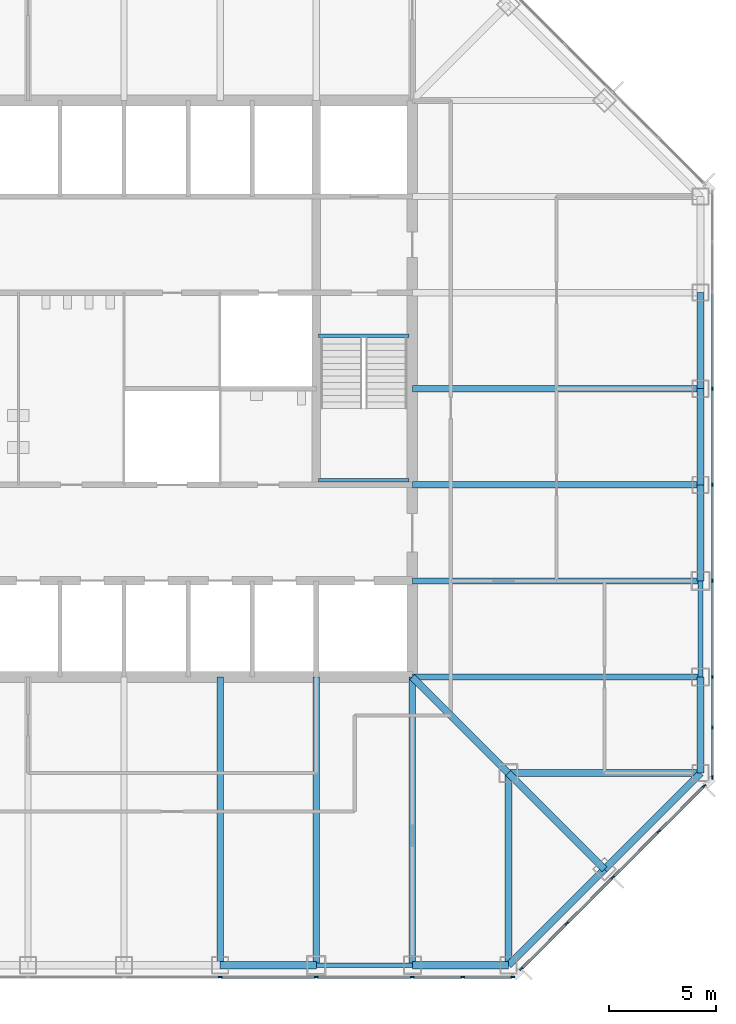
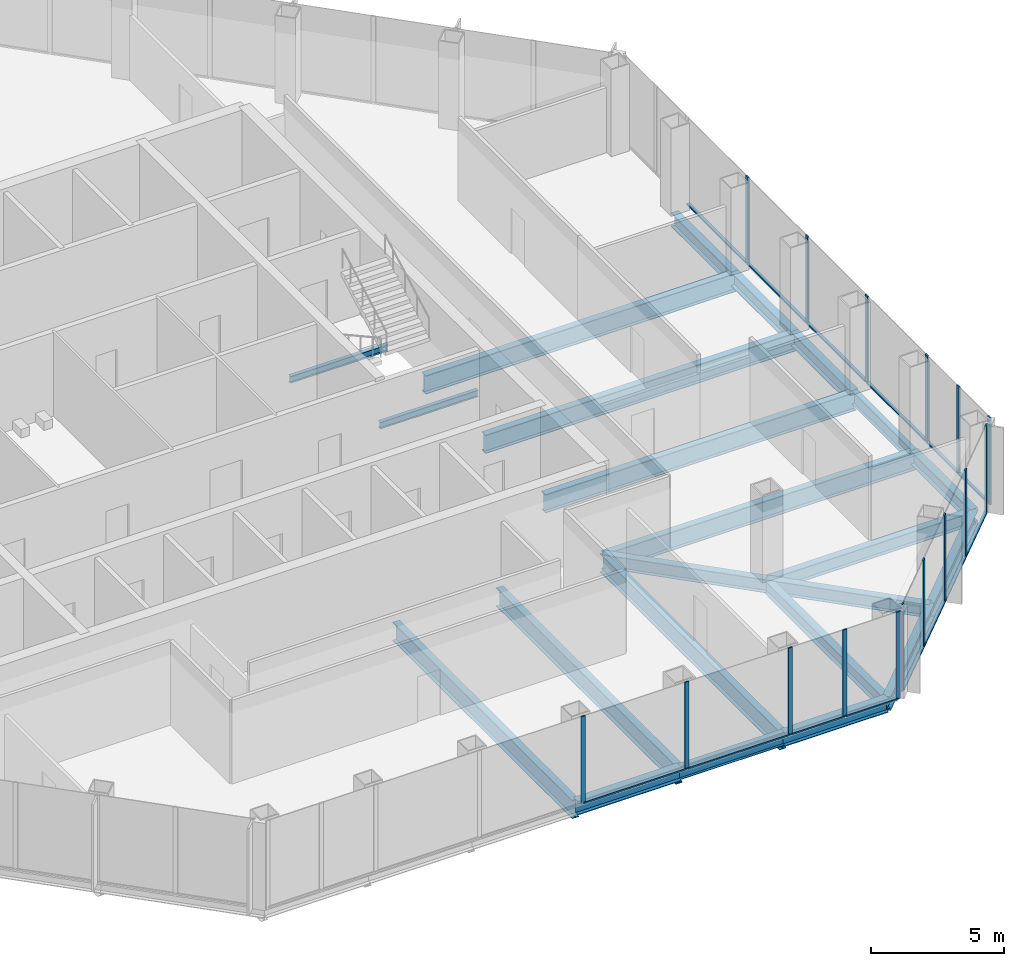
# One storey, part 4 of 12: 30 members, 23 beams, 3 elements without a shape of their own.
"""IFC4 building model written with IfcOpenShell, lengths in metres."""

from ifc_helpers import new_model, si_unit, direction, frame, origin, origin_2d, place, context, subcontext, project, spatial, rectangle, i_section, extrude, material, material_profile, profile_set, type_object, element, aggregate, save


model = new_model("IFC4")

# Units and contexts
model_context = context("Model", 3, precision=1e-05, world=origin(), true_north=direction((0.0, 1.0)))
body_context = subcontext(model_context, "Body", "Model", "MODEL_VIEW")
ifc_project = project(units=[si_unit("LENGTHUNIT", "METRE"), si_unit("AREAUNIT", "SQUARE_METRE"), si_unit("VOLUMEUNIT", "CUBIC_METRE"), si_unit("PLANEANGLEUNIT", "RADIAN"), si_unit("MASSUNIT", "GRAM", prefix="KILO")], contexts=[model_context])

# Site, building, storey
site_placement = place(None, origin())
site = spatial("IfcSite", under=ifc_project, at=site_placement, CompositionType="ELEMENT")
building_placement = place(site_placement, origin())
building = spatial("IfcBuilding", under=site, at=building_placement, Name="Corais Broadcast Tower", CompositionType="ELEMENT")
storey_placement = place(building_placement, frame((0.0, 0.0, 115.60009765625)))
storey = spatial("IfcBuildingStorey", under=building, at=storey_placement, Name="L25", CompositionType="ELEMENT", Elevation=115.60009765625)

# Beams
ifc_material_1 = material(Name="Steel ASTM A572 Grade 50", Category="steel")
ifc_material_profile_1 = material_profile(ifc_material_1, i_section(OverallWidth=0.323974609375, OverallDepth=0.611083984375, WebThickness=0.0126953125, FlangeThickness=0.01904296875, at=origin_2d()), Name="W610x155")
ifc_profile_set_1 = profile_set([ifc_material_profile_1], Name="Steel ASTM A572 Grade 50")
beam_type_1 = type_object("IfcBeamType", Name="Chamfer tie W610x155", PredefinedType="BEAM", material=ifc_profile_set_1)
beam_1_placement = place(storey_placement, frame((49.5, 4.5, -0.465576171875), z_axis=(-0.707106781187, 0.707106781187, 0.0), x_axis=(-0.707106781187, -0.707106781187, 0.0)))
element("IfcBeam", 1, at=beam_1_placement, inside=storey, type_object=beam_type_1, Name="B5 B/14 to C/13", PredefinedType="BEAM", context=body_context, shape_type="SweptSolid", body=[
    extrude(i_section(OverallWidth=0.323974609375, OverallDepth=0.611083984375, WebThickness=0.0126953125, FlangeThickness=0.01904296875, at=origin_2d()), origin(), (0.0, 0.0, 1.0), 6.364013671875),
])
ifc_material_2 = material(Name="Steel ASTM A572 Grade 50", Category="steel")
ifc_material_profile_2 = material_profile(ifc_material_2, i_section(OverallWidth=0.323974609375, OverallDepth=0.611083984375, WebThickness=0.0126953125, FlangeThickness=0.01904296875, at=origin_2d()), Name="W610x155")
ifc_profile_set_2 = profile_set([ifc_material_profile_2], Name="Steel ASTM A572 Grade 50")
beam_type_2 = type_object("IfcBeamType", Name="Corner diagonal W610x155", PredefinedType="BEAM", material=ifc_profile_set_2)
beam_2_placement = place(storey_placement, frame((45.0, 9.0, -0.465576171875), z_axis=(-0.707106781187, 0.707106781187, 0.0), x_axis=(-0.707106781187, -0.707106781187, 0.0)))
element("IfcBeam", 2, at=beam_2_placement, inside=storey, type_object=beam_type_2, Name="B6 C/13 to D/12", PredefinedType="BEAM", context=body_context, shape_type="SweptSolid", body=[
    extrude(i_section(OverallWidth=0.323974609375, OverallDepth=0.611083984375, WebThickness=0.0126953125, FlangeThickness=0.01904296875, at=origin_2d()), origin(), (0.0, 0.0, 1.0), 6.364013671875),
])
ifc_material_3 = material(Name="Steel ASTM A572 Grade 50", Category="steel")
ifc_material_profile_3 = material_profile(ifc_material_3, i_section(OverallWidth=0.323974609375, OverallDepth=0.611083984375, WebThickness=0.0126953125, FlangeThickness=0.01904296875, at=origin_2d()), Name="W610x155")
ifc_profile_set_3 = profile_set([ifc_material_profile_3], Name="Steel ASTM A572 Grade 50")
beam_type_3 = type_object("IfcBeamType", Name="Corner girder W610x155", PredefinedType="BEAM", material=ifc_profile_set_3)
for number, where, z_axis, x_axis, name in (
    (3, (45.0, 0.0, -0.465576171875), (0.0, 1.0, 0.0), (-1.0, 0.0, 0.0), "B4 A/13 to C/13"),
    (4, (54.0, 9.0, -0.465576171875), (-1.0, 0.0, 0.0), (0.0, -1.0, 0.0), "B4 C/15 to C/13"),
):
    element("IfcBeam", number, at=place(storey_placement, frame(where, z_axis=z_axis, x_axis=x_axis)), inside=storey, type_object=beam_type_3, Name=name, PredefinedType="BEAM", context=body_context, shape_type="SweptSolid", body=[
        extrude(i_section(OverallWidth=0.323974609375, OverallDepth=0.611083984375, WebThickness=0.0126953125, FlangeThickness=0.01904296875, at=origin_2d()), origin(), (0.0, 0.0, 1.0), 9.0),
    ])
ifc_material_4 = material(Name="Steel ASTM A572 Grade 50", Category="steel")
ifc_material_profile_4 = material_profile(ifc_material_4, i_section(OverallWidth=0.2939453125, OverallDepth=0.85107421875, WebThickness=0.01611328125, FlangeThickness=0.02685546875, at=origin_2d()), Name="W840x226")
ifc_profile_set_4 = profile_set([ifc_material_profile_4], Name="Steel ASTM A572 Grade 50")
beam_type_4 = type_object("IfcBeamType", Name="Floor beam W840x226", PredefinedType="BEAM", material=ifc_profile_set_4)
for number, where, z_axis, x_axis, name in (
    (5, (31.5, 0.0, -0.585693359375), (0.0, 1.0, 0.0), (-1.0, 0.0, 0.0), "B1 A/10 to D/10"),
    (6, (36.0, 0.0, -0.585693359375), (0.0, 1.0, 0.0), (-1.0, 0.0, 0.0), "B1 A/11 to D/11"),
    (7, (40.5, 0.0, -0.585693359375), (0.0, 1.0, 0.0), (-1.0, 0.0, 0.0), "B1 A/12 to D/12"),
    (8, (54.0, 13.5, -0.585693359375), (-1.0, 0.0, 0.0), (0.0, -1.0, 0.0), "B1 D/15 to D/12"),
    (9, (54.0, 18.0, -0.585693359375), (-1.0, 0.0, 0.0), (0.0, -1.0, 0.0), "B1 E/15 to E/12"),
    (10, (54.0, 22.5, -0.585693359375), (-1.0, 0.0, 0.0), (0.0, -1.0, 0.0), "B1 F/15 to F/12"),
    (11, (54.0, 27.0, -0.585693359375), (-1.0, 0.0, 0.0), (0.0, -1.0, 0.0), "B1 G/15 to G/12"),
):
    element("IfcBeam", number, at=place(storey_placement, frame(where, z_axis=z_axis, x_axis=x_axis)), inside=storey, type_object=beam_type_4, Name=name, PredefinedType="BEAM", context=body_context, shape_type="SweptSolid", body=[
        extrude(i_section(OverallWidth=0.2939453125, OverallDepth=0.85107421875, WebThickness=0.01611328125, FlangeThickness=0.02685546875, at=origin_2d()), origin(), (0.0, 0.0, 1.0), 13.5),
    ])
ifc_material_5 = material(Name="Steel ASTM A572 Grade 50", Category="steel")
ifc_material_profile_5 = material_profile(ifc_material_5, i_section(OverallWidth=0.1650390625, OverallDepth=0.31005859375, WebThickness=0.005859375, FlangeThickness=0.009765625, at=origin_2d()), Name="W310x38.7")
ifc_profile_set_5 = profile_set([ifc_material_profile_5], Name="Steel ASTM A572 Grade 50")
beam_type_5 = type_object("IfcBeamType", Name="Landing trimmer W310x38.7", PredefinedType="BEAM", material=ifc_profile_set_5)
for number, where, z_axis, x_axis, name in (
    (12, (36.10009765625, 29.47509765625, -0.35498046875), (1.0, 0.0, 0.0), (0.0, 1.0, 0.0), "LT1 stair B landing trimmer L25"),
    (13, (36.10009765625, 22.715087890625, 1.64501953125), (1.0, 0.0, 0.0), (0.0, 1.0, 0.0), "LT1 stair B half landing trimmer L25"),
):
    element("IfcBeam", number, at=place(storey_placement, frame(where, z_axis=z_axis, x_axis=x_axis)), inside=storey, type_object=beam_type_5, Name=name, PredefinedType="BEAM", context=body_context, shape_type="SweptSolid", body=[
        extrude(i_section(OverallWidth=0.1650390625, OverallDepth=0.31005859375, WebThickness=0.005859375, FlangeThickness=0.009765625, at=origin_2d()), origin(), (0.0, 0.0, 1.0), 4.25),
    ])

# Curtain wall, members
ifc_material_6 = material(Name="Aluminium and glass", Category="aluminium")
curtain_wall_type = type_object("IfcCurtainWallType", Name="Unitised fritted curtain wall CW2", PredefinedType="NOTDEFINED", material=ifc_material_6)
curtain_wall_1_placement = place(storey_placement, origin())
curtain_wall_1 = element("IfcCurtainWall", 14, at=curtain_wall_1_placement, inside=storey, type_object=curtain_wall_type, Name="CW2 curtain wall L25 6", PredefinedType="NOTDEFINED")
ifc_material_7 = material(Name="Aluminium 6063-T6", Category="aluminium")
ifc_material_profile_6 = material_profile(ifc_material_7, rectangle(XDim=0.06494140625, YDim=0.179931640625, at=origin_2d()), Name="Mullion CW2 65x180")
ifc_profile_set_6 = profile_set([ifc_material_profile_6], Name="Aluminium 6063-T6")
member_type_1 = type_object("IfcMemberType", Name="Mullion CW2 65x180", PredefinedType="MULLION", material=ifc_profile_set_6)
member_1_placement = place(storey_placement, frame((54.550048828125, 27.0, 0.0), z_axis=(0.0, 0.0, 1.0), x_axis=(1.0, 0.0, 0.0)))
member_1 = element("IfcMember", 15, at=member_1_placement, type_object=member_type_1, Name="CW2 mullion 4", PredefinedType="MULLION", context=body_context, shape_type="SweptSolid", body=[
    extrude(rectangle(XDim=0.06494140625, YDim=0.179931640625, at=origin_2d()), origin(), (0.0, 0.0, 1.0), 4.0),
])
member_2_placement = place(storey_placement, frame((54.550048828125, 22.5, 0.0), z_axis=(0.0, 0.0, 1.0), x_axis=(1.0, 0.0, 0.0)))
member_2 = element("IfcMember", 16, at=member_2_placement, type_object=member_type_1, Name="CW2 mullion 5", PredefinedType="MULLION", context=body_context, shape_type="SweptSolid", body=[
    extrude(rectangle(XDim=0.06494140625, YDim=0.179931640625, at=origin_2d()), origin(), (0.0, 0.0, 1.0), 4.0),
])
member_3_placement = place(storey_placement, frame((54.550048828125, 18.0, 0.0), z_axis=(0.0, 0.0, 1.0), x_axis=(1.0, 0.0, 0.0)))
member_3 = element("IfcMember", 17, at=member_3_placement, type_object=member_type_1, Name="CW2 mullion 6", PredefinedType="MULLION", context=body_context, shape_type="SweptSolid", body=[
    extrude(rectangle(XDim=0.06494140625, YDim=0.179931640625, at=origin_2d()), origin(), (0.0, 0.0, 1.0), 4.0),
])
member_4_placement = place(storey_placement, frame((54.550048828125, 13.5, 0.0), z_axis=(0.0, 0.0, 1.0), x_axis=(1.0, 0.0, 0.0)))
member_4 = element("IfcMember", 18, at=member_4_placement, type_object=member_type_1, Name="CW2 mullion 7", PredefinedType="MULLION", context=body_context, shape_type="SweptSolid", body=[
    extrude(rectangle(XDim=0.06494140625, YDim=0.179931640625, at=origin_2d()), origin(), (0.0, 0.0, 1.0), 4.0),
])
member_5_placement = place(storey_placement, frame((54.550048828125, 11.135986328125, 0.0), z_axis=(0.0, 0.0, 1.0), x_axis=(1.0, 0.0, 0.0)))
member_5 = element("IfcMember", 19, at=member_5_placement, type_object=member_type_1, Name="CW2 mullion 8", PredefinedType="MULLION", context=body_context, shape_type="SweptSolid", body=[
    extrude(rectangle(XDim=0.06494140625, YDim=0.179931640625, at=origin_2d()), origin(), (0.0, 0.0, 1.0), 4.0),
])
member_6_placement = place(storey_placement, frame((54.550048828125, 8.8046875, 0.0), z_axis=(0.0, 0.0, 1.0), x_axis=(1.0, 0.0, 0.0)))
member_6 = element("IfcMember", 20, at=member_6_placement, type_object=member_type_1, Name="CW2 mullion 9", PredefinedType="MULLION", context=body_context, shape_type="SweptSolid", body=[
    extrude(rectangle(XDim=0.06494140625, YDim=0.179931640625, at=origin_2d()), origin(), (0.0, 0.0, 1.0), 4.0),
])

curtain_wall_2_placement = place(storey_placement, origin())
curtain_wall_2 = element("IfcCurtainWall", 21, at=curtain_wall_2_placement, inside=storey, type_object=curtain_wall_type, Name="CW2 curtain wall L25 7", PredefinedType="NOTDEFINED")
member_7_placement = place(storey_placement, frame((54.17333984375, 8.3955078125, 0.0), z_axis=(0.0, 0.0, 1.0), x_axis=(0.707106781187, -0.707106781187, 0.0)))
member_7 = element("IfcMember", 22, at=member_7_placement, type_object=member_type_1, Name="CW2 mullion 1", PredefinedType="MULLION", context=body_context, shape_type="SweptSolid", body=[
    extrude(rectangle(XDim=0.06494140625, YDim=0.179931640625, at=origin_2d()), origin(), (0.0, 0.0, 1.0), 4.0),
])
member_8_placement = place(storey_placement, frame((52.042724609375, 6.264892578125, 0.0), z_axis=(0.0, 0.0, 1.0), x_axis=(0.707106781187, -0.707106781187, 0.0)))
member_8 = element("IfcMember", 23, at=member_8_placement, type_object=member_type_1, Name="CW2 mullion 2", PredefinedType="MULLION", context=body_context, shape_type="SweptSolid", body=[
    extrude(rectangle(XDim=0.06494140625, YDim=0.179931640625, at=origin_2d()), origin(), (0.0, 0.0, 1.0), 4.0),
])
member_9_placement = place(storey_placement, frame((49.888916015625, 4.111083984375, 0.0), z_axis=(0.0, 0.0, 1.0), x_axis=(0.707106781187, -0.707106781187, 0.0)))
member_9 = element("IfcMember", 24, at=member_9_placement, type_object=member_type_1, Name="CW2 mullion 3", PredefinedType="MULLION", context=body_context, shape_type="SweptSolid", body=[
    extrude(rectangle(XDim=0.06494140625, YDim=0.179931640625, at=origin_2d()), origin(), (0.0, 0.0, 1.0), 4.0),
])
member_10_placement = place(storey_placement, frame((47.735107421875, 1.957275390625, 0.0), z_axis=(0.0, 0.0, 1.0), x_axis=(0.707106781187, -0.707106781187, 0.0)))
member_10 = element("IfcMember", 25, at=member_10_placement, type_object=member_type_1, Name="CW2 mullion 4", PredefinedType="MULLION", context=body_context, shape_type="SweptSolid", body=[
    extrude(rectangle(XDim=0.06494140625, YDim=0.179931640625, at=origin_2d()), origin(), (0.0, 0.0, 1.0), 4.0),
])
member_11_placement = place(storey_placement, frame((45.6044921875, -0.17333984375, 0.0), z_axis=(0.0, 0.0, 1.0), x_axis=(0.707106781187, -0.707106781187, 0.0)))
member_11 = element("IfcMember", 26, at=member_11_placement, type_object=member_type_1, Name="CW2 mullion 5", PredefinedType="MULLION", context=body_context, shape_type="SweptSolid", body=[
    extrude(rectangle(XDim=0.06494140625, YDim=0.179931640625, at=origin_2d()), origin(), (0.0, 0.0, 1.0), 4.0),
])

curtain_wall_3_placement = place(storey_placement, origin())
curtain_wall_3 = element("IfcCurtainWall", 27, at=curtain_wall_3_placement, inside=storey, type_object=curtain_wall_type, Name="CW2 curtain wall L25 8", PredefinedType="NOTDEFINED")
member_12_placement = place(storey_placement, frame((45.1953125, -0.550048828125, 0.0), z_axis=(0.0, 0.0, 1.0), x_axis=(0.0, -1.0, 0.0)))
member_12 = element("IfcMember", 28, at=member_12_placement, type_object=member_type_1, Name="CW2 mullion 1", PredefinedType="MULLION", context=body_context, shape_type="SweptSolid", body=[
    extrude(rectangle(XDim=0.06494140625, YDim=0.179931640625, at=origin_2d()), origin(), (0.0, 0.0, 1.0), 4.0),
])
member_13_placement = place(storey_placement, frame((42.864013671875, -0.550048828125, 0.0), z_axis=(0.0, 0.0, 1.0), x_axis=(0.0, -1.0, 0.0)))
member_13 = element("IfcMember", 29, at=member_13_placement, type_object=member_type_1, Name="CW2 mullion 2", PredefinedType="MULLION", context=body_context, shape_type="SweptSolid", body=[
    extrude(rectangle(XDim=0.06494140625, YDim=0.179931640625, at=origin_2d()), origin(), (0.0, 0.0, 1.0), 4.0),
])
member_14_placement = place(storey_placement, frame((40.5, -0.550048828125, 0.0), z_axis=(0.0, 0.0, 1.0), x_axis=(0.0, -1.0, 0.0)))
member_14 = element("IfcMember", 30, at=member_14_placement, type_object=member_type_1, Name="CW2 mullion 3", PredefinedType="MULLION", context=body_context, shape_type="SweptSolid", body=[
    extrude(rectangle(XDim=0.06494140625, YDim=0.179931640625, at=origin_2d()), origin(), (0.0, 0.0, 1.0), 4.0),
])
member_15_placement = place(storey_placement, frame((36.0, -0.550048828125, 0.0), z_axis=(0.0, 0.0, 1.0), x_axis=(0.0, -1.0, 0.0)))
member_15 = element("IfcMember", 31, at=member_15_placement, type_object=member_type_1, Name="CW2 mullion 4", PredefinedType="MULLION", context=body_context, shape_type="SweptSolid", body=[
    extrude(rectangle(XDim=0.06494140625, YDim=0.179931640625, at=origin_2d()), origin(), (0.0, 0.0, 1.0), 4.0),
])
member_16_placement = place(storey_placement, frame((31.5, -0.550048828125, 0.0), z_axis=(0.0, 0.0, 1.0), x_axis=(0.0, -1.0, 0.0)))
member_16 = element("IfcMember", 32, at=member_16_placement, type_object=member_type_1, Name="CW2 mullion 5", PredefinedType="MULLION", context=body_context, shape_type="SweptSolid", body=[
    extrude(rectangle(XDim=0.06494140625, YDim=0.179931640625, at=origin_2d()), origin(), (0.0, 0.0, 1.0), 4.0),
])

# Beams
ifc_material_8 = material(Name="Steel ASTM A572 Grade 50", Category="steel")
ifc_material_profile_7 = material_profile(ifc_material_8, i_section(OverallWidth=0.22900390625, OverallDepth=0.612060546875, WebThickness=0.011962890625, FlangeThickness=0.01953125, at=origin_2d()), Name="W610x125")
ifc_profile_set_7 = profile_set([ifc_material_profile_7], Name="Steel ASTM A572 Grade 50")
beam_type_6 = type_object("IfcBeamType", Name="Pinned spandrel W610x125", PredefinedType="BEAM", material=ifc_profile_set_7)
for number, where, z_axis, x_axis, name in (
    (33, (36.0, 0.0, -0.466064453125), (1.0, 0.0, 0.0), (0.0, 1.0, 0.0), "SB7 A/11 to A/12"),
    (34, (54.0, 13.5, -0.466064453125), (0.0, 1.0, 0.0), (-1.0, 0.0, 0.0), "SB7 D/15 to E/15"),
):
    element("IfcBeam", number, at=place(storey_placement, frame(where, z_axis=z_axis, x_axis=x_axis)), inside=storey, type_object=beam_type_6, Name=name, PredefinedType="BEAM", context=body_context, shape_type="SweptSolid", body=[
        extrude(i_section(OverallWidth=0.22900390625, OverallDepth=0.612060546875, WebThickness=0.011962890625, FlangeThickness=0.01953125, at=origin_2d()), origin(), (0.0, 0.0, 1.0), 4.5),
    ])
ifc_material_9 = material(Name="Steel ASTM A572 Grade 50", Category="steel")
ifc_material_profile_8 = material_profile(ifc_material_9, i_section(OverallWidth=0.3291015625, OverallDepth=0.635009765625, WebThickness=0.017822265625, FlangeThickness=0.031005859375, at=origin_2d()), Name="W610x241")
ifc_profile_set_8 = profile_set([ifc_material_profile_8], Name="Steel ASTM A572 Grade 50")
beam_type_7 = type_object("IfcBeamType", Name="Spandrel W610x241", PredefinedType="BEAM", material=ifc_profile_set_8)
for number, where, z_axis, x_axis, name in (
    (35, (31.5, 0.0, -0.4775390625), (1.0, 0.0, 0.0), (0.0, 1.0, 0.0), "SB1 A/10 to A/11"),
    (36, (40.5, 0.0, -0.4775390625), (1.0, 0.0, 0.0), (0.0, 1.0, 0.0), "SB1 A/12 to A/13"),
):
    element("IfcBeam", number, at=place(storey_placement, frame(where, z_axis=z_axis, x_axis=x_axis)), inside=storey, type_object=beam_type_7, Name=name, PredefinedType="BEAM", context=body_context, shape_type="SweptSolid", body=[
        extrude(i_section(OverallWidth=0.3291015625, OverallDepth=0.635009765625, WebThickness=0.017822265625, FlangeThickness=0.031005859375, at=origin_2d()), origin(), (0.0, 0.0, 1.0), 4.5),
    ])
for number, where, z_axis, x_axis, name in (
    (37, (45.0, 0.0, -0.4775390625), (0.707106781187, 0.707106781187, 0.0), (-0.707106781187, 0.707106781187, 0.0), "SB1 A/13 to B/14"),
    (38, (49.5, 4.5, -0.4775390625), (0.707106781187, 0.707106781187, 0.0), (-0.707106781187, 0.707106781187, 0.0), "SB1 B/14 to C/15"),
):
    element("IfcBeam", number, at=place(storey_placement, frame(where, z_axis=z_axis, x_axis=x_axis)), inside=storey, type_object=beam_type_7, Name=name, PredefinedType="BEAM", context=body_context, shape_type="SweptSolid", body=[
        extrude(i_section(OverallWidth=0.3291015625, OverallDepth=0.635009765625, WebThickness=0.017822265625, FlangeThickness=0.031005859375, at=origin_2d()), origin(), (0.0, 0.0, 1.0), 6.364013671875),
    ])
for number, where, z_axis, x_axis, name in (
    (39, (54.0, 18.0, -0.4775390625), (0.0, 1.0, 0.0), (-1.0, 0.0, 0.0), "SB1 E/15 to F/15"),
    (40, (54.0, 22.5, -0.4775390625), (0.0, 1.0, 0.0), (-1.0, 0.0, 0.0), "SB1 F/15 to G/15"),
    (41, (54.0, 27.0, -0.4775390625), (0.0, 1.0, 0.0), (-1.0, 0.0, 0.0), "SB1 G/15 to H/15"),
    (42, (54.0, 9.0, -0.4775390625), (0.0, 1.0, 0.0), (-1.0, 0.0, 0.0), "SB1 C/15 to D/15"),
):
    element("IfcBeam", number, at=place(storey_placement, frame(where, z_axis=z_axis, x_axis=x_axis)), inside=storey, type_object=beam_type_7, Name=name, PredefinedType="BEAM", context=body_context, shape_type="SweptSolid", body=[
        extrude(i_section(OverallWidth=0.3291015625, OverallDepth=0.635009765625, WebThickness=0.017822265625, FlangeThickness=0.031005859375, at=origin_2d()), origin(), (0.0, 0.0, 1.0), 4.5),
    ])

# Member
ifc_material_10 = material(Name="Aluminium 6063-T6", Category="aluminium")
ifc_material_profile_9 = material_profile(ifc_material_10, rectangle(XDim=0.1298828125, YDim=0.06494140625, at=origin_2d()), Name="Transom CW2 65x130")
ifc_profile_set_9 = profile_set([ifc_material_profile_9], Name="Aluminium 6063-T6")
member_type_2 = type_object("IfcMemberType", Name="Transom CW2 65x130", PredefinedType="USERDEFINED", material=ifc_profile_set_9)
member_17_placement = place(storey_placement, frame((54.550048828125, 31.467529296875, 0.032470703125), z_axis=(0.0, -1.0, 0.0), x_axis=(1.0, 0.0, 0.0)))
member_17 = element("IfcMember", 43, at=member_17_placement, type_object=member_type_2, Name="CW2 transom 3.1", ObjectType="TRANSOM", PredefinedType="USERDEFINED", context=body_context, shape_type="SweptSolid", body=[
    extrude(rectangle(XDim=0.1298828125, YDim=0.06494140625, at=origin_2d()), origin(), (0.0, 0.0, 1.0), 4.43505859375),
])

member_18_placement = place(storey_placement, frame((54.550048828125, 26.967529296875, 0.032470703125), z_axis=(0.0, -1.0, 0.0), x_axis=(1.0, 0.0, 0.0)))
member_18 = element("IfcMember", 44, at=member_18_placement, type_object=member_type_2, Name="CW2 transom 4.1", ObjectType="TRANSOM", PredefinedType="USERDEFINED", context=body_context, shape_type="SweptSolid", body=[
    extrude(rectangle(XDim=0.1298828125, YDim=0.06494140625, at=origin_2d()), origin(), (0.0, 0.0, 1.0), 4.43505859375),
])

member_19_placement = place(storey_placement, frame((54.550048828125, 22.467529296875, 0.032470703125), z_axis=(0.0, -1.0, 0.0), x_axis=(1.0, 0.0, 0.0)))
member_19 = element("IfcMember", 45, at=member_19_placement, type_object=member_type_2, Name="CW2 transom 5.1", ObjectType="TRANSOM", PredefinedType="USERDEFINED", context=body_context, shape_type="SweptSolid", body=[
    extrude(rectangle(XDim=0.1298828125, YDim=0.06494140625, at=origin_2d()), origin(), (0.0, 0.0, 1.0), 4.43505859375),
])

member_20_placement = place(storey_placement, frame((54.550048828125, 17.967529296875, 0.032470703125), z_axis=(0.0, -1.0, 0.0), x_axis=(1.0, 0.0, 0.0)))
member_20 = element("IfcMember", 46, at=member_20_placement, type_object=member_type_2, Name="CW2 transom 6.1", ObjectType="TRANSOM", PredefinedType="USERDEFINED", context=body_context, shape_type="SweptSolid", body=[
    extrude(rectangle(XDim=0.1298828125, YDim=0.06494140625, at=origin_2d()), origin(), (0.0, 0.0, 1.0), 4.43505859375),
])

member_21_placement = place(storey_placement, frame((54.550048828125, 13.467529296875, 0.032470703125), z_axis=(0.0, -1.0, 0.0), x_axis=(1.0, 0.0, 0.0)))
member_21 = element("IfcMember", 47, at=member_21_placement, type_object=member_type_2, Name="CW2 transom 7.1", ObjectType="TRANSOM", PredefinedType="USERDEFINED", context=body_context, shape_type="SweptSolid", body=[
    extrude(rectangle(XDim=0.1298828125, YDim=0.06494140625, at=origin_2d()), origin(), (0.0, 0.0, 1.0), 2.298828125),
])

member_22_placement = place(storey_placement, frame((54.550048828125, 11.103515625, 0.032470703125), z_axis=(0.0, -1.0, 0.0), x_axis=(1.0, 0.0, 0.0)))
member_22 = element("IfcMember", 48, at=member_22_placement, type_object=member_type_2, Name="CW2 transom 8.1", ObjectType="TRANSOM", PredefinedType="USERDEFINED", context=body_context, shape_type="SweptSolid", body=[
    extrude(rectangle(XDim=0.1298828125, YDim=0.06494140625, at=origin_2d()), origin(), (0.0, 0.0, 1.0), 2.266357421875),
])

aggregate(curtain_wall_1, [member_1, member_2, member_3, member_4, member_5, member_6, member_17, member_18, member_19, member_20, member_21, member_22])

member_23_placement = place(storey_placement, frame((54.150390625, 8.37255859375, 0.032470703125), z_axis=(-0.707106781187, -0.707106781187, 0.0), x_axis=(0.707106781187, -0.707106781187, 0.0)))
member_23 = element("IfcMember", 49, at=member_23_placement, type_object=member_type_2, Name="CW2 transom 1.1", ObjectType="TRANSOM", PredefinedType="USERDEFINED", context=body_context, shape_type="SweptSolid", body=[
    extrude(rectangle(XDim=0.1298828125, YDim=0.06494140625, at=origin_2d()), origin(), (0.0, 0.0, 1.0), 2.9482421875),
])

member_24_placement = place(storey_placement, frame((52.019775390625, 6.241943359375, 0.032470703125), z_axis=(-0.707106781187, -0.707106781187, 0.0), x_axis=(0.707106781187, -0.707106781187, 0.0)))
member_24 = element("IfcMember", 50, at=member_24_placement, type_object=member_type_2, Name="CW2 transom 2.1", ObjectType="TRANSOM", PredefinedType="USERDEFINED", context=body_context, shape_type="SweptSolid", body=[
    extrude(rectangle(XDim=0.1298828125, YDim=0.06494140625, at=origin_2d()), origin(), (0.0, 0.0, 1.0), 2.98095703125),
])

member_25_placement = place(storey_placement, frame((49.865966796875, 4.088134765625, 0.032470703125), z_axis=(-0.707106781187, -0.707106781187, 0.0), x_axis=(0.707106781187, -0.707106781187, 0.0)))
member_25 = element("IfcMember", 51, at=member_25_placement, type_object=member_type_2, Name="CW2 transom 3.1", ObjectType="TRANSOM", PredefinedType="USERDEFINED", context=body_context, shape_type="SweptSolid", body=[
    extrude(rectangle(XDim=0.1298828125, YDim=0.06494140625, at=origin_2d()), origin(), (0.0, 0.0, 1.0), 2.98095703125),
])

member_26_placement = place(storey_placement, frame((47.712158203125, 1.934326171875, 0.032470703125), z_axis=(-0.707106781187, -0.707106781187, 0.0), x_axis=(0.707106781187, -0.707106781187, 0.0)))
member_26 = element("IfcMember", 52, at=member_26_placement, type_object=member_type_2, Name="CW2 transom 4.1", ObjectType="TRANSOM", PredefinedType="USERDEFINED", context=body_context, shape_type="SweptSolid", body=[
    extrude(rectangle(XDim=0.1298828125, YDim=0.06494140625, at=origin_2d()), origin(), (0.0, 0.0, 1.0), 2.9482421875),
])

aggregate(curtain_wall_2, [member_7, member_8, member_9, member_10, member_11, member_23, member_24, member_25, member_26])

member_27_placement = place(storey_placement, frame((45.162841796875, -0.550048828125, 0.032470703125), z_axis=(-1.0, 0.0, 0.0), x_axis=(0.0, -1.0, 0.0)))
member_27 = element("IfcMember", 53, at=member_27_placement, type_object=member_type_2, Name="CW2 transom 1.1", ObjectType="TRANSOM", PredefinedType="USERDEFINED", context=body_context, shape_type="SweptSolid", body=[
    extrude(rectangle(XDim=0.1298828125, YDim=0.06494140625, at=origin_2d()), origin(), (0.0, 0.0, 1.0), 2.266357421875),
])

member_28_placement = place(storey_placement, frame((42.831298828125, -0.550048828125, 0.032470703125), z_axis=(-1.0, 0.0, 0.0), x_axis=(0.0, -1.0, 0.0)))
member_28 = element("IfcMember", 54, at=member_28_placement, type_object=member_type_2, Name="CW2 transom 2.1", ObjectType="TRANSOM", PredefinedType="USERDEFINED", context=body_context, shape_type="SweptSolid", body=[
    extrude(rectangle(XDim=0.1298828125, YDim=0.06494140625, at=origin_2d()), origin(), (0.0, 0.0, 1.0), 2.298828125),
])

member_29_placement = place(storey_placement, frame((40.467529296875, -0.550048828125, 0.032470703125), z_axis=(-1.0, 0.0, 0.0), x_axis=(0.0, -1.0, 0.0)))
member_29 = element("IfcMember", 55, at=member_29_placement, type_object=member_type_2, Name="CW2 transom 3.1", ObjectType="TRANSOM", PredefinedType="USERDEFINED", context=body_context, shape_type="SweptSolid", body=[
    extrude(rectangle(XDim=0.1298828125, YDim=0.06494140625, at=origin_2d()), origin(), (0.0, 0.0, 1.0), 4.43505859375),
])

member_30_placement = place(storey_placement, frame((35.967529296875, -0.550048828125, 0.032470703125), z_axis=(-1.0, 0.0, 0.0), x_axis=(0.0, -1.0, 0.0)))
member_30 = element("IfcMember", 56, at=member_30_placement, type_object=member_type_2, Name="CW2 transom 4.1", ObjectType="TRANSOM", PredefinedType="USERDEFINED", context=body_context, shape_type="SweptSolid", body=[
    extrude(rectangle(XDim=0.1298828125, YDim=0.06494140625, at=origin_2d()), origin(), (0.0, 0.0, 1.0), 4.43505859375),
])

aggregate(curtain_wall_3, [member_12, member_13, member_14, member_15, member_16, member_27, member_28, member_29, member_30])

save(model, "model.ifc")
